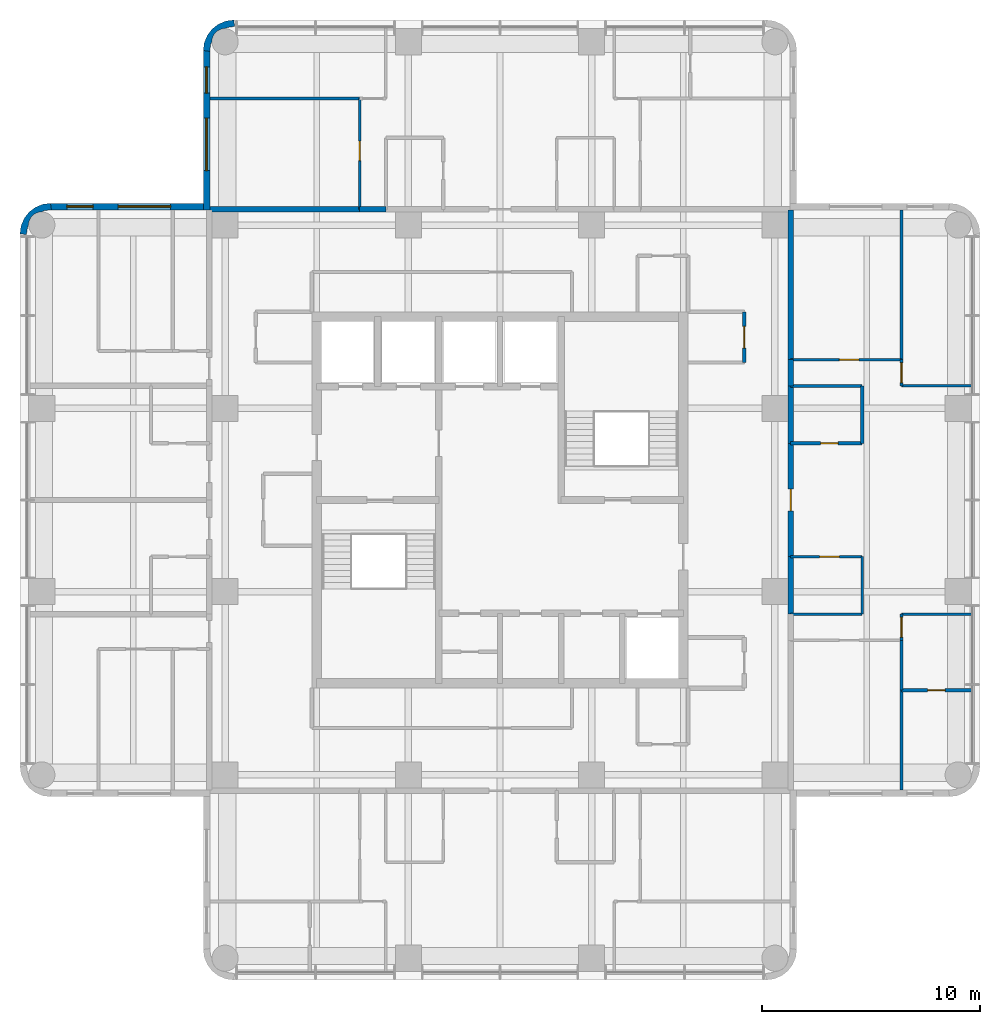
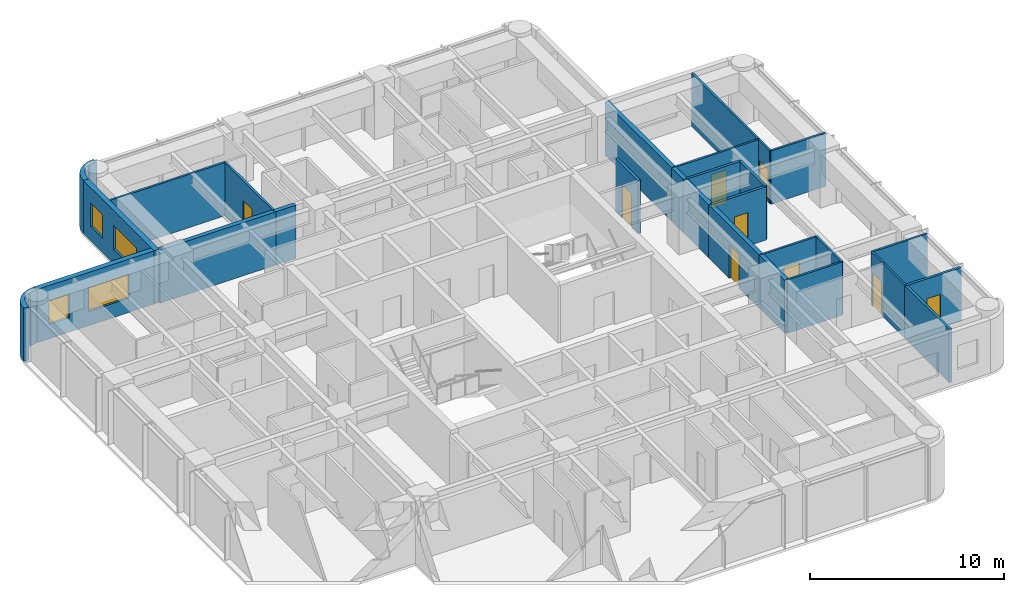
# One storey, part 7 of 10: 29 walls, 9 doors, 4 windows, 13 openings.
"""IFC4 building model written with IfcOpenShell, lengths in metres."""

import ifcopenshell
import ifcopenshell.guid

model = None  # the IFC model being written
_history = None  # IfcOwnerHistory: only IFC2X3 demands one
_inside = {}  # id of a spatial element -> (the spatial element, [elements in it])
_under = {}  # id of a project, library or spatial element -> (it, [spatial elements below it])
_declared = {}  # id of a project -> (the project, [libraries it declares])
_typed = {}  # id of a type object -> (the type object, [elements of that type])
_made_of = {}  # id of a material, layer set ... -> (it, [elements and type objects made of it])


def new_model(schema):
    """Start an empty IFC model of exactly this schema.

    Asked for "IFC4X3", IfcOpenShell would pick the latest addendum, in which some entities
    have other attributes; the version numbers below select the first issue.
    IFC2X3 requires an IfcOwnerHistory on every rooted entity: one is made here for all.
    """
    global model, _history
    if schema == "IFC4X3":
        model = ifcopenshell.file(schema_version=(4, 3, 0, 0))
    else:
        model = ifcopenshell.file(schema=schema)
    _inside.clear()
    _under.clear()
    _declared.clear()
    _typed.clear()
    _made_of.clear()
    _history = None
    if model.schema == "IFC2X3":
        org = make("IfcOrganization", Name="unknown")
        user = make(
            "IfcPersonAndOrganization",
            ThePerson=make("IfcPerson", FamilyName="unknown"),
            TheOrganization=org,
        )
        app = make(
            "IfcApplication",
            ApplicationDeveloper=org,
            Version="unknown",
            ApplicationFullName="unknown",
            ApplicationIdentifier="unknown",
        )
        _history = make(
            "IfcOwnerHistory",
            OwningUser=user,
            OwningApplication=app,
            ChangeAction="ADDED",
            CreationDate=0,
        )
    return model


def make(cls, **values):
    """One entity of the class cls with the attributes given. An attribute that is None is left unset."""
    return model.create_entity(
        cls, **{name: value for name, value in values.items() if value is not None}
    )


def rooted(cls, **values):
    """An entity with a GlobalId (a new one), such as an element, a storey or a relation."""
    return make(cls, GlobalId=ifcopenshell.guid.new(), OwnerHistory=_history, **values)


def si_unit(unit_type, name, prefix=None):
    """IfcSIUnit, for example si_unit("LENGTHUNIT", "METRE", prefix="MILLI")."""
    return make("IfcSIUnit", UnitType=unit_type, Prefix=prefix, Name=name)


def assignment(units):
    """IfcUnitAssignment: the units of a project."""
    return None if units is None else make("IfcUnitAssignment", Units=units)


def point(xyz):
    """IfcCartesianPoint."""
    return None if xyz is None else make("IfcCartesianPoint", Coordinates=xyz)


def direction(xyz):
    """IfcDirection."""
    return None if xyz is None else make("IfcDirection", DirectionRatios=xyz)


def frame(location, z_axis=None, x_axis=None):
    """IfcAxis2Placement3D, a coordinate frame: its origin and axes. An axis left out is left unset."""
    return make(
        "IfcAxis2Placement3D",
        Location=point(location),
        Axis=direction(z_axis),
        RefDirection=direction(x_axis),
    )


def frame_2d(location, x_axis=None):
    """IfcAxis2Placement2D, a coordinate frame in the plane: its origin and x axis."""
    return make(
        "IfcAxis2Placement2D", Location=point(location), RefDirection=direction(x_axis)
    )


def origin():
    """The frame at (0, 0, 0) with its axes left unset."""
    return frame((0.0, 0.0, 0.0))


def place(relative_to, where):
    """IfcLocalPlacement: puts the frame where relative to a parent placement (None: the world)."""
    return make(
        "IfcLocalPlacement", PlacementRelTo=relative_to, RelativePlacement=where
    )


def context(
    kind, dimensions, precision=None, world=None, true_north=None, identifier=None
):
    """IfcGeometricRepresentationContext, for example the 3D "Model" context."""
    return make(
        "IfcGeometricRepresentationContext",
        ContextIdentifier=identifier,
        ContextType=kind,
        CoordinateSpaceDimension=dimensions,
        Precision=precision,
        WorldCoordinateSystem=world,
        TrueNorth=true_north,
    )


def subcontext(parent, identifier, kind, view, scale=None):
    """IfcGeometricRepresentationSubContext, for example "Body" below "Model"."""
    return make(
        "IfcGeometricRepresentationSubContext",
        ContextIdentifier=identifier,
        ContextType=kind,
        ParentContext=parent,
        TargetScale=scale,
        TargetView=view,
    )


def project(units=None, contexts=None):
    """IfcProject with its units and contexts."""
    return rooted(
        "IfcProject",
        Name="project",
        RepresentationContexts=contexts,
        UnitsInContext=assignment(units),
    )


def spatial(cls, under=None, at=None, **own):
    """A site, building, storey or space (cls), placed at a placement, below another one or the project."""
    s = rooted(cls, ObjectPlacement=at, **own)
    if under is not None:
        _under.setdefault(under.id(), (under, []))[1].append(s)
    return s


def polyline(points):
    """IfcPolyline through the points."""
    return make("IfcPolyline", Points=[point(p) for p in points])


def profile(cls, at=None, kind="AREA", **sizes):
    """A parametric profile (cls). Its sizes go by their IFC names, for example OverallWidth=200.0."""
    return make(cls, ProfileType=kind, Position=at, **sizes)


def rectangle(**sizes):
    """IfcRectangleProfileDef."""
    return profile("IfcRectangleProfileDef", **sizes)


def outline(outer, holes=None, kind="AREA"):
    """IfcArbitraryClosedProfileDef: a profile drawn as a closed curve; with holes, ...WithVoids."""
    if holes is None:
        return make("IfcArbitraryClosedProfileDef", ProfileType=kind, OuterCurve=outer)
    return make(
        "IfcArbitraryProfileDefWithVoids",
        ProfileType=kind,
        OuterCurve=outer,
        InnerCurves=holes,
    )


def extrude(swept, where, along, depth):
    """IfcExtrudedAreaSolid: the profile swept, set in the frame where, extruded along a direction by depth."""
    return make(
        "IfcExtrudedAreaSolid",
        SweptArea=swept,
        Position=where,
        ExtrudedDirection=direction(along),
        Depth=depth,
    )


def shape(context_of_items, identifier, shape_type, items):
    """IfcShapeRepresentation: the items that make up one representation, for example the "Body"."""
    return make(
        "IfcShapeRepresentation",
        ContextOfItems=context_of_items,
        RepresentationIdentifier=identifier,
        RepresentationType=shape_type,
        Items=items,
    )


def material(Name=None, Category=None):
    """IfcMaterial."""
    return make("IfcMaterial", Name=Name, Category=Category)


def layer(
    of_material, thickness, ventilated=None, Name=None, Category=None, Priority=None
):
    """IfcMaterialLayer: one layer of a wall or slab, of a material (None: an air gap)."""
    return make(
        "IfcMaterialLayer",
        Material=of_material,
        LayerThickness=thickness,
        IsVentilated=ventilated,
        Name=Name,
        Category=Category,
        Priority=Priority,
    )


def layer_set(layers, Name=None):
    """IfcMaterialLayerSet."""
    return make("IfcMaterialLayerSet", MaterialLayers=layers, LayerSetName=Name)


def made_of(thing, what):
    """Note that an element or type object is made of a material, layer set ...; save() writes the relation."""
    if what is not None:
        _made_of.setdefault(what.id(), (what, []))[1].append(thing)
    return thing


def type_object(cls, material=None, **own):
    """A type object (cls), such as IfcWallType, which elements share."""
    return made_of(rooted(cls, **own), material)


def element(
    cls,
    number,
    at=None,
    inside=None,
    cuts=None,
    type_object=None,
    material=None,
    context=None,
    identifier="Body",
    shape_type=None,
    held_by="IfcProductDefinitionShape",
    body=None,
    shapes=None,
    **own,
):
    """One element of the class cls, such as IfcWall. Its Tag is "e" and its number.

    at: its placement. inside: the storey or other place that contains it. cuts: it is an
    opening in that element (IfcRelVoidsElement). A single representation is given by context,
    identifier, shape_type and body (its items); several are given by shapes. held_by: the class
    of the entity that holds the representations. save() writes the other relations.
    """
    e = rooted(cls, Tag="e%d" % number, ObjectPlacement=at, **own)
    if body is not None:
        shapes = [shape(context, identifier, shape_type, body)]
    if shapes is not None:
        e.Representation = make(held_by, Representations=shapes)
    if inside is not None:
        _inside.setdefault(inside.id(), (inside, []))[1].append(e)
    if cuts is not None:
        rooted(
            "IfcRelVoidsElement", RelatingBuildingElement=cuts, RelatedOpeningElement=e
        )
    if type_object is not None:
        _typed.setdefault(type_object.id(), (type_object, []))[1].append(e)
    return made_of(e, material)


def fill(opening, filler):
    """IfcRelFillsElement: the door or window that sits in an opening."""
    return rooted(
        "IfcRelFillsElement",
        RelatingOpeningElement=opening,
        RelatedBuildingElement=filler,
    )


def aggregate(whole, parts):
    """IfcRelAggregates: a whole, such as a stair, and the parts it consists of."""
    return rooted("IfcRelAggregates", RelatingObject=whole, RelatedObjects=parts)


def save(model, path):
    """Write the relations noted so far, then the file.

    IfcRelAggregates (storeys below a building ...), IfcRelContainedInSpatialStructure (elements
    in a storey), IfcRelDefinesByType, IfcRelAssociatesMaterial and IfcRelDeclares: one each for
    every whole, place, type object, material and project.
    """
    for whole, parts in _under.values():
        aggregate(whole, parts)
    for where, things in _inside.values():
        rooted(
            "IfcRelContainedInSpatialStructure",
            RelatedElements=things,
            RelatingStructure=where,
        )
    for kind, things in _typed.values():
        rooted("IfcRelDefinesByType", RelatedObjects=things, RelatingType=kind)
    for what, things in _made_of.values():
        rooted("IfcRelAssociatesMaterial", RelatedObjects=things, RelatingMaterial=what)
    for by, libraries in _declared.values():
        rooted("IfcRelDeclares", RelatingContext=by, RelatedDefinitions=libraries)
    model.write(path)


model = new_model("IFC4")

# Units and contexts
model_context = context("Model", 3, precision=1e-05, world=origin(), true_north=direction((0.0, 1.0)))
body_context = subcontext(model_context, "Body", "Model", "MODEL_VIEW")
ifc_project = project(units=[si_unit("LENGTHUNIT", "METRE"), si_unit("AREAUNIT", "SQUARE_METRE"), si_unit("VOLUMEUNIT", "CUBIC_METRE"), si_unit("PLANEANGLEUNIT", "RADIAN"), si_unit("MASSUNIT", "GRAM", prefix="KILO")], contexts=[model_context])

# Site, building, storey
site_placement = place(None, origin())
site = spatial("IfcSite", under=ifc_project, at=site_placement, CompositionType="ELEMENT")
building_placement = place(site_placement, origin())
building = spatial("IfcBuilding", under=site, at=building_placement, Name="Torre Alcanfor", CompositionType="ELEMENT")
storey_placement = place(building_placement, frame((0.0, 0.0, 297.300048828125)))
storey = spatial("IfcBuildingStorey", under=building, at=storey_placement, Name="L78", CompositionType="ELEMENT", Elevation=297.300048828125)

# Walls
ifc_material_1 = material(Name="Concrete block masonry, hollow blocks NMX-C-404 9 MPa", Category="masonry")
ifc_layer_1 = layer(ifc_material_1, 0.25)
ifc_layer_set_1 = layer_set([ifc_layer_1], Name="Apartment entrance wall 250 EI 60")
wall_type_1 = type_object("IfcWallType", Name="Apartment entrance wall 250 EI 60", PredefinedType="PARTITIONING", material=ifc_layer_set_1)
wall_1_placement = place(storey_placement, frame((22.970947265625, 42.72509765625, 0.0), z_axis=(0.0, 0.0, 1.0), x_axis=(1.0, 0.0, 0.0)))
element("IfcWall", 1, at=wall_1_placement, inside=storey, type_object=wall_type_1, Name="Partition L78-CORR / L78-NX-LIVING", PredefinedType="PARTITIONING", context=body_context, shape_type="SweptSolid", body=[
    extrude(rectangle(XDim=1.199951171875, YDim=0.25, at=frame_2d((0.60009765625, 0.0))), origin(), (0.0, 0.0, 1.0), 3.349853515625),
])
wall_2_placement = place(storey_placement, frame((16.10009765625, 42.72509765625, 0.0), z_axis=(0.0, 0.0, 1.0), x_axis=(1.0, 0.0, 0.0)))
element("IfcWall", 2, at=wall_2_placement, inside=storey, type_object=wall_type_1, Name="Partition L78-CORR / L78-NX-BED2", PredefinedType="PARTITIONING", context=body_context, shape_type="SweptSolid", body=[
    extrude(rectangle(XDim=6.870849609375, YDim=0.25, at=frame_2d((3.435546875, 0.0))), origin(), (0.0, 0.0, 1.0), 3.349853515625),
])

# Wall, opening, door
wall_3_placement = place(storey_placement, frame((42.72509765625, 32.0, 0.0), z_axis=(0.0, 0.0, 1.0), x_axis=(0.0, -1.0, 0.0)))
wall_3 = element("IfcWall", 3, at=wall_3_placement, inside=storey, type_object=wall_type_1, Name="Partition L78-CORR / L78-EX-ZAG", PredefinedType="PARTITIONING", context=body_context, shape_type="SweptSolid", body=[
    extrude(rectangle(XDim=5.199951171875, YDim=0.25, at=frame_2d((2.60009765625, 0.0))), origin(), (0.0, 0.0, 1.0), 3.349853515625),
])
opening_1_placement = place(wall_3_placement, frame((2.10009765625, 0.0, 0.0)))
opening_1 = element("IfcOpeningElement", 4, at=opening_1_placement, cuts=wall_3, Name="Opening D-A1", PredefinedType="OPENING", context=body_context, shape_type="SweptSolid", body=[
    extrude(rectangle(XDim=1.0, YDim=2.10009765625, at=frame_2d((0.5, 1.050048828125))), frame((0.0, 0.135009765625, 0.0), z_axis=(0.0, -1.0, 0.0), x_axis=(1.0, 0.0, 0.0)), (0.0, 0.0, 1.0), 0.27001953125),
])
ifc_material_2 = material(Name="Galvanised steel sheet ASTM A653", Category="steel")
door_type_1 = type_object("IfcDoorType", Name="Apartment entrance door FD60 1000x2100", OperationType="SINGLE_SWING_LEFT", PredefinedType="DOOR", material=ifc_material_2)
door_1_placement = place(opening_1_placement, origin())
door_1 = element("IfcDoor", 5, at=door_1_placement, inside=storey, type_object=door_type_1, Name="Apartment entrance L78-EX", OperationType="SINGLE_SWING_LEFT", OverallHeight=2.10009765625, OverallWidth=1.0, PredefinedType="DOOR", context=body_context, shape_type="SweptSolid", body=[
    extrude(rectangle(XDim=1.0, YDim=2.10009765625, at=frame_2d((0.5, 1.050048828125))), frame((0.0, 0.02490234375, 0.0), z_axis=(0.0, -1.0, 0.0), x_axis=(1.0, 0.0, 0.0)), (0.0, 0.0, 1.0), 0.050048828125),
])
fill(opening_1, door_1)

# Walls
wall_4_placement = place(storey_placement, frame((42.72509765625, 34.62890625, 0.0), z_axis=(0.0, 0.0, 1.0), x_axis=(0.0, -1.0, 0.0)))
element("IfcWall", 6, at=wall_4_placement, inside=storey, type_object=wall_type_1, Name="Partition L78-CORR / L78-EX-BATH2", PredefinedType="PARTITIONING", context=body_context, shape_type="SweptSolid", body=[
    extrude(rectangle(XDim=2.62890625, YDim=0.25, at=frame_2d((1.314453125, 0.0))), origin(), (0.0, 0.0, 1.0), 3.349853515625),
])
wall_5_placement = place(storey_placement, frame((42.72509765625, 26.800048828125, 0.0), z_axis=(0.0, 0.0, 1.0), x_axis=(0.0, -1.0, 0.0)))
element("IfcWall", 7, at=wall_5_placement, inside=storey, type_object=wall_type_1, Name="Partition L78-CORR / L78-EX-KITCHEN", PredefinedType="PARTITIONING", context=body_context, shape_type="SweptSolid", body=[
    extrude(rectangle(XDim=2.629150390625, YDim=0.25, at=frame_2d((1.314453125, 0.0))), origin(), (0.0, 0.0, 1.0), 3.349853515625),
])
wall_6_placement = place(storey_placement, frame((42.72509765625, 35.8291015625, 0.0), z_axis=(0.0, 0.0, 1.0), x_axis=(0.0, -1.0, 0.0)))
element("IfcWall", 8, at=wall_6_placement, inside=storey, type_object=wall_type_1, Name="Partition L78-CORR / L78-EX-LIVING", PredefinedType="PARTITIONING", context=body_context, shape_type="SweptSolid", body=[
    extrude(rectangle(XDim=1.2001953125, YDim=0.25, at=frame_2d((0.60009765625, 0.0))), origin(), (0.0, 0.0, 1.0), 3.349853515625),
])
wall_7_placement = place(storey_placement, frame((42.72509765625, 42.699951171875, 0.0), z_axis=(0.0, 0.0, 1.0), x_axis=(0.0, -1.0, 0.0)))
element("IfcWall", 9, at=wall_7_placement, inside=storey, type_object=wall_type_1, Name="Partition L78-CORR / L78-EX-BED2", PredefinedType="PARTITIONING", context=body_context, shape_type="SweptSolid", body=[
    extrude(rectangle(XDim=6.870849609375, YDim=0.25, at=frame_2d((3.435546875, 0.0))), origin(), (0.0, 0.0, 1.0), 3.349853515625),
])

# Wall, opening, door
ifc_material_3 = material(Name="Gypsum board on steel studs", Category="steel")
ifc_layer_2 = layer(ifc_material_3, 0.1201171875)
ifc_layer_set_2 = layer_set([ifc_layer_2], Name="Apartment partition 120")
wall_type_2 = type_object("IfcWallType", Name="Apartment partition 120", PredefinedType="PARTITIONING", material=ifc_layer_set_2)
wall_8_placement = place(storey_placement, frame((22.970947265625, 42.72509765625, 0.0), z_axis=(0.0, 0.0, 1.0), x_axis=(0.0, 1.0, 0.0)))
wall_8 = element("IfcWall", 10, at=wall_8_placement, inside=storey, type_object=wall_type_2, Name="Partition L78-NX-LIVING / L78-NX-BED2", PredefinedType="PARTITIONING", context=body_context, shape_type="SweptSolid", body=[
    extrude(rectangle(XDim=5.074951171875, YDim=0.1201171875, at=frame_2d((2.53759765625, 0.0))), origin(), (0.0, 0.0, 1.0), 3.349853515625),
])
opening_2_placement = place(wall_8_placement, frame((2.22509765625, 0.0, 0.0)))
opening_2 = element("IfcOpeningElement", 11, at=opening_2_placement, cuts=wall_8, Name="Opening D-R1", PredefinedType="OPENING", context=body_context, shape_type="SweptSolid", body=[
    extrude(rectangle(XDim=0.89990234375, YDim=2.10009765625, at=frame_2d((0.449951171875, 1.050048828125))), frame((0.0, 0.070068359375, 0.0), z_axis=(0.0, -1.0, 0.0), x_axis=(1.0, 0.0, 0.0)), (0.0, 0.0, 1.0), 0.14013671875),
])
ifc_material_4 = material(Name="Timber", Category="wood")
door_type_2 = type_object("IfcDoorType", Name="Internal door 900x2100", OperationType="SINGLE_SWING_LEFT", PredefinedType="DOOR", material=ifc_material_4)
door_2_placement = place(opening_2_placement, origin())
door_2 = element("IfcDoor", 12, at=door_2_placement, inside=storey, type_object=door_type_2, Name="Door L78-NX bed2", OperationType="SINGLE_SWING_RIGHT", OverallHeight=2.10009765625, OverallWidth=0.89990234375, PredefinedType="DOOR", context=body_context, shape_type="SweptSolid", body=[
    extrude(rectangle(XDim=0.89990234375, YDim=2.10009765625, at=frame_2d((0.449951171875, 1.050048828125))), frame((0.0, 0.02490234375, 0.0), z_axis=(0.0, -1.0, 0.0), x_axis=(1.0, 0.0, 0.0)), (0.0, 0.0, 1.0), 0.050048828125),
])
fill(opening_2, door_2)

# Wall
wall_9_placement = place(storey_placement, frame((22.970947265625, 47.800048828125, 0.0), z_axis=(0.0, 0.0, 1.0), x_axis=(-1.0, 0.0, 0.0)))
element("IfcWall", 13, at=wall_9_placement, inside=storey, type_object=wall_type_2, Name="Partition L78-NX-BED2 / L78-NX-MASTER", PredefinedType="PARTITIONING", context=body_context, shape_type="SweptSolid", body=[
    extrude(rectangle(XDim=6.870849609375, YDim=0.1201171875, at=frame_2d((3.435546875, 0.0))), origin(), (0.0, 0.0, 1.0), 3.349853515625),
])

# Wall, opening, door
wall_10_placement = place(storey_placement, frame((42.72509765625, 26.800048828125, 0.0), z_axis=(0.0, 0.0, 1.0), x_axis=(1.0, 0.0, 0.0)))
wall_10 = element("IfcWall", 14, at=wall_10_placement, inside=storey, type_object=wall_type_2, Name="Partition L78-EX-ZAG / L78-EX-KITCHEN", PredefinedType="PARTITIONING", context=body_context, shape_type="SweptSolid", body=[
    extrude(rectangle(XDim=3.27490234375, YDim=0.1201171875, at=frame_2d((1.637451171875, 0.0))), origin(), (0.0, 0.0, 1.0), 3.349853515625),
])
opening_3_placement = place(wall_10_placement, frame((1.324951171875, 0.0, 0.0)))
opening_3 = element("IfcOpeningElement", 15, at=opening_3_placement, cuts=wall_10, Name="Opening D-R1", PredefinedType="OPENING", context=body_context, shape_type="SweptSolid", body=[
    extrude(rectangle(XDim=0.89990234375, YDim=2.10009765625, at=frame_2d((0.449951171875, 1.050048828125))), frame((0.0, 0.070068359375, 0.0), z_axis=(0.0, -1.0, 0.0), x_axis=(1.0, 0.0, 0.0)), (0.0, 0.0, 1.0), 0.14013671875),
])
door_3_placement = place(opening_3_placement, frame((0.89990234375, 0.0, 0.0), z_axis=(0.0, 0.0, 1.0), x_axis=(-1.0, 0.0, 0.0)))
door_3 = element("IfcDoor", 16, at=door_3_placement, inside=storey, type_object=door_type_2, Name="Door L78-EX kitchen", OperationType="SINGLE_SWING_LEFT", OverallHeight=2.10009765625, OverallWidth=0.89990234375, PredefinedType="DOOR", context=body_context, shape_type="SweptSolid", body=[
    extrude(rectangle(XDim=0.89990234375, YDim=2.10009765625, at=frame_2d((0.449951171875, 1.050048828125))), frame((0.0, 0.025146484375, 0.0), z_axis=(0.0, -1.0, 0.0), x_axis=(1.0, 0.0, 0.0)), (0.0, 0.0, 1.0), 0.050048828125),
])
fill(opening_3, door_3)

# Walls
wall_11_placement = place(storey_placement, frame((42.72509765625, 24.1708984375, 0.0), z_axis=(0.0, 0.0, 1.0), x_axis=(1.0, 0.0, 0.0)))
element("IfcWall", 17, at=wall_11_placement, inside=storey, type_object=wall_type_2, Name="Partition L78-EX-KITCHEN / L78-EX-LIVING", PredefinedType="PARTITIONING", context=body_context, shape_type="SweptSolid", body=[
    extrude(rectangle(XDim=3.27490234375, YDim=0.1201171875, at=frame_2d((1.637451171875, 0.0))), origin(), (0.0, 0.0, 1.0), 3.349853515625),
])
wall_12_placement = place(storey_placement, frame((46.0, 24.1708984375, 0.0), z_axis=(0.0, 0.0, 1.0), x_axis=(0.0, 1.0, 0.0)))
element("IfcWall", 18, at=wall_12_placement, inside=storey, type_object=wall_type_2, Name="Partition L78-EX-KITCHEN / L78-EX-LIVING", PredefinedType="PARTITIONING", context=body_context, shape_type="SweptSolid", body=[
    extrude(rectangle(XDim=2.629150390625, YDim=0.1201171875, at=frame_2d((1.314453125, 0.0))), origin(), (0.0, 0.0, 1.0), 3.349853515625),
])

# Wall, opening, door
wall_13_placement = place(storey_placement, frame((42.72509765625, 35.8291015625, 0.0), z_axis=(0.0, 0.0, 1.0), x_axis=(1.0, 0.0, 0.0)))
wall_13 = element("IfcWall", 19, at=wall_13_placement, inside=storey, type_object=wall_type_2, Name="Partition L78-EX-LIVING / L78-EX-BED2", PredefinedType="PARTITIONING", context=body_context, shape_type="SweptSolid", body=[
    extrude(rectangle(XDim=5.074951171875, YDim=0.1201171875, at=frame_2d((2.53759765625, 0.0))), origin(), (0.0, 0.0, 1.0), 3.349853515625),
])
opening_4_placement = place(wall_13_placement, frame((2.22509765625, 0.0, 0.0)))
opening_4 = element("IfcOpeningElement", 20, at=opening_4_placement, cuts=wall_13, Name="Opening D-R1", PredefinedType="OPENING", context=body_context, shape_type="SweptSolid", body=[
    extrude(rectangle(XDim=0.89990234375, YDim=2.10009765625, at=frame_2d((0.449951171875, 1.050048828125))), frame((0.0, 0.070068359375, 0.0), z_axis=(0.0, -1.0, 0.0), x_axis=(1.0, 0.0, 0.0)), (0.0, 0.0, 1.0), 0.14013671875),
])
door_4_placement = place(opening_4_placement, origin())
door_4 = element("IfcDoor", 21, at=door_4_placement, inside=storey, type_object=door_type_2, Name="Door L78-EX bed2", OperationType="SINGLE_SWING_RIGHT", OverallHeight=2.10009765625, OverallWidth=0.89990234375, PredefinedType="DOOR", context=body_context, shape_type="SweptSolid", body=[
    extrude(rectangle(XDim=0.89990234375, YDim=2.10009765625, at=frame_2d((0.449951171875, 1.050048828125))), frame((0.0, 0.02490234375, 0.0), z_axis=(0.0, -1.0, 0.0), x_axis=(1.0, 0.0, 0.0)), (0.0, 0.0, 1.0), 0.050048828125),
])
fill(opening_4, door_4)

wall_14_placement = place(storey_placement, frame((47.800048828125, 35.8291015625, 0.0), z_axis=(0.0, 0.0, 1.0), x_axis=(0.0, -1.0, 0.0)))
wall_14 = element("IfcWall", 22, at=wall_14_placement, inside=storey, type_object=wall_type_2, Name="Partition L78-EX-LIVING / L78-EX-MASTER", PredefinedType="PARTITIONING", context=body_context, shape_type="SweptSolid", body=[
    extrude(rectangle(XDim=1.2001953125, YDim=0.1201171875, at=frame_2d((0.60009765625, 0.0))), origin(), (0.0, 0.0, 1.0), 3.349853515625),
])
opening_5_placement = place(wall_14_placement, frame((0.14892578125, 0.0, 0.0)))
opening_5 = element("IfcOpeningElement", 23, at=opening_5_placement, cuts=wall_14, Name="Opening D-R1", PredefinedType="OPENING", context=body_context, shape_type="SweptSolid", body=[
    extrude(rectangle(XDim=0.89990234375, YDim=2.10009765625, at=frame_2d((0.449951171875, 1.050048828125))), frame((0.0, 0.070068359375, 0.0), z_axis=(0.0, -1.0, 0.0), x_axis=(1.0, 0.0, 0.0)), (0.0, 0.0, 1.0), 0.14013671875),
])
door_5_placement = place(opening_5_placement, origin())
door_5 = element("IfcDoor", 24, at=door_5_placement, inside=storey, type_object=door_type_2, Name="Door L78-EX master", OperationType="SINGLE_SWING_RIGHT", OverallHeight=2.10009765625, OverallWidth=0.89990234375, PredefinedType="DOOR", context=body_context, shape_type="SweptSolid", body=[
    extrude(rectangle(XDim=0.89990234375, YDim=2.10009765625, at=frame_2d((0.449951171875, 1.050048828125))), frame((0.0, 0.02490234375, 0.0), z_axis=(0.0, -1.0, 0.0), x_axis=(1.0, 0.0, 0.0)), (0.0, 0.0, 1.0), 0.050048828125),
])
fill(opening_5, door_5)

# Walls
for number, where, z_axis, x_axis, name in (
    (25, (47.800048828125, 34.62890625, 0.0), (0.0, 0.0, 1.0), (1.0, 0.0, 0.0), "Partition L78-EX-LIVING / L78-EX-MASTER"),
    (26, (51.050048828125, 24.1708984375, 0.0), (0.0, 0.0, 1.0), (-1.0, 0.0, 0.0), "Partition L78-EX-LIVING / L78-EX-BED1"),
):
    element("IfcWall", number, at=place(storey_placement, frame(where, z_axis=z_axis, x_axis=x_axis)), inside=storey, type_object=wall_type_2, Name=name, PredefinedType="PARTITIONING", context=body_context, shape_type="SweptSolid", body=[
        extrude(rectangle(XDim=3.25, YDim=0.1201171875, at=frame_2d((1.625, 0.0))), origin(), (0.0, 0.0, 1.0), 3.349853515625),
    ])

# Wall, opening, door
wall_15_placement = place(storey_placement, frame((47.800048828125, 24.1708984375, 0.0), z_axis=(0.0, 0.0, 1.0), x_axis=(0.0, -1.0, 0.0)))
wall_15 = element("IfcWall", 27, at=wall_15_placement, inside=storey, type_object=wall_type_2, Name="Partition L78-EX-LIVING / L78-EX-BED1", PredefinedType="PARTITIONING", context=body_context, shape_type="SweptSolid", body=[
    extrude(rectangle(XDim=1.199951171875, YDim=0.1201171875, at=frame_2d((0.60009765625, 0.0))), origin(), (0.0, 0.0, 1.0), 3.349853515625),
])
opening_6_placement = place(wall_15_placement, frame((0.15087890625, 0.0, 0.0)))
opening_6 = element("IfcOpeningElement", 28, at=opening_6_placement, cuts=wall_15, Name="Opening D-R1", PredefinedType="OPENING", context=body_context, shape_type="SweptSolid", body=[
    extrude(rectangle(XDim=0.89990234375, YDim=2.10009765625, at=frame_2d((0.449951171875, 1.050048828125))), frame((0.0, 0.070068359375, 0.0), z_axis=(0.0, -1.0, 0.0), x_axis=(1.0, 0.0, 0.0)), (0.0, 0.0, 1.0), 0.14013671875),
])
door_6_placement = place(opening_6_placement, origin())
door_6 = element("IfcDoor", 29, at=door_6_placement, inside=storey, type_object=door_type_2, Name="Door L78-EX bed1", OperationType="SINGLE_SWING_LEFT", OverallHeight=2.10009765625, OverallWidth=0.89990234375, PredefinedType="DOOR", context=body_context, shape_type="SweptSolid", body=[
    extrude(rectangle(XDim=0.89990234375, YDim=2.10009765625, at=frame_2d((0.449951171875, 1.050048828125))), frame((0.0, 0.02490234375, 0.0), z_axis=(0.0, -1.0, 0.0), x_axis=(1.0, 0.0, 0.0)), (0.0, 0.0, 1.0), 0.050048828125),
])
fill(opening_6, door_6)

# Walls
wall_16_placement = place(storey_placement, frame((47.800048828125, 35.8291015625, 0.0), z_axis=(0.0, 0.0, 1.0), x_axis=(0.0, 1.0, 0.0)))
element("IfcWall", 30, at=wall_16_placement, inside=storey, type_object=wall_type_2, Name="Partition L78-EX-BED2 / L78-EX-MASTER", PredefinedType="PARTITIONING", context=body_context, shape_type="SweptSolid", body=[
    extrude(rectangle(XDim=6.870849609375, YDim=0.1201171875, at=frame_2d((3.435546875, 0.0))), origin(), (0.0, 0.0, 1.0), 3.349853515625),
])
wall_17_placement = place(storey_placement, frame((47.800048828125, 20.68603515625, 0.0), z_axis=(0.0, 0.0, 1.0), x_axis=(0.0, 1.0, 0.0)))
element("IfcWall", 31, at=wall_17_placement, inside=storey, type_object=wall_type_2, Name="Partition L78-EX-BED3 / L78-EX-BED1", PredefinedType="PARTITIONING", context=body_context, shape_type="SweptSolid", body=[
    extrude(rectangle(XDim=2.284912109375, YDim=0.1201171875, at=frame_2d((1.142578125, 0.0))), origin(), (0.0, 0.0, 1.0), 3.349853515625),
])

# Wall, openings, windows
ifc_material_5 = material(Name="Limestone cladding", Category="masonry")
ifc_layer_3 = layer(ifc_material_5, 0.0400390625, Name="Facing")
ifc_material_6 = material(Name="Ventilated air cavity")
ifc_layer_4 = layer(ifc_material_6, 0.02001953125, ventilated=True, Name="Ventilated joint")
ifc_material_7 = material(Name="Mineral wool insulation", Category="insulation")
ifc_layer_5 = layer(ifc_material_7, 0.10009765625, Name="Insulation")
ifc_material_8 = material(Name="Concrete f'c 35 MPa", Category="concrete")
ifc_layer_6 = layer(ifc_material_8, 0.139892578125, Name="Backing")
ifc_layer_set_3 = layer_set([ifc_layer_3, ifc_layer_4, ifc_layer_5, ifc_layer_6], Name="External wall stone-clad 300")
wall_type_3 = type_object("IfcWallType", Name="External wall stone-clad 300", PredefinedType="SOLIDWALL", material=ifc_layer_set_3)
wall_18_placement = place(storey_placement, frame((15.800048828125, 42.85009765625, 0.0), z_axis=(0.0, 0.0, 1.0), x_axis=(-1.0, 0.0, 0.0)))
wall_18 = element("IfcWall", 32, at=wall_18_placement, inside=storey, type_object=wall_type_3, Name="External wall L78 1", PredefinedType="SOLIDWALL", context=body_context, shape_type="SweptSolid", body=[
    extrude(rectangle(XDim=7.0, YDim=0.300048828125, at=frame_2d((3.5, 0.0))), origin(), (0.0, 0.0, 1.0), 3.349853515625),
])
opening_7_placement = place(wall_18_placement, frame((1.5, 0.0, 0.89990234375)))
opening_7 = element("IfcOpeningElement", 33, at=opening_7_placement, cuts=wall_18, Name="Opening W1", PredefinedType="OPENING", context=body_context, shape_type="SweptSolid", body=[
    extrude(rectangle(XDim=2.39990234375, YDim=1.5, at=frame_2d((1.199951171875, 0.75))), frame((0.0, 0.159912109375, 0.0), z_axis=(0.0, -1.0, 0.0), x_axis=(1.0, 0.0, 0.0)), (0.0, 0.0, 1.0), 0.320068359375),
])
opening_8_placement = place(wall_18_placement, frame((5.050048828125, 0.0, 0.89990234375)))
opening_8 = element("IfcOpeningElement", 34, at=opening_8_placement, cuts=wall_18, Name="Opening W4", PredefinedType="OPENING", context=body_context, shape_type="SweptSolid", body=[
    extrude(rectangle(XDim=1.199951171875, YDim=1.5, at=frame_2d((0.60009765625, 0.75))), frame((0.0, 0.159912109375, 0.0), z_axis=(0.0, -1.0, 0.0), x_axis=(1.0, 0.0, 0.0)), (0.0, 0.0, 1.0), 0.320068359375),
])
ifc_material_9 = material(Name="Aluminium frame with clear double glazing", Category="aluminium")
window_type_1 = type_object("IfcWindowType", Name="Window bedroom 1200x1500", PartitioningType="SINGLE_PANEL", PredefinedType="WINDOW", material=ifc_material_9)
window_1_placement = place(opening_8_placement, origin())
window_1 = element("IfcWindow", 35, at=window_1_placement, inside=storey, type_object=window_type_1, Name="Window W4 L78-W2", OverallHeight=1.5, OverallWidth=1.199951171875, PartitioningType="SINGLE_PANEL", PredefinedType="WINDOW", context=body_context, shape_type="SweptSolid", body=[
    extrude(rectangle(XDim=1.199951171875, YDim=1.5, at=frame_2d((0.60009765625, 0.75))), frame((0.0, 0.030029296875, 0.0), z_axis=(0.0, -1.0, 0.0), x_axis=(1.0, 0.0, 0.0)), (0.0, 0.0, 1.0), 0.06005859375),
])
fill(opening_8, window_1)
ifc_material_10 = material(Name="Aluminium frame with clear double glazing", Category="aluminium")
window_type_2 = type_object("IfcWindowType", Name="Window bedroom 2400x1500", PartitioningType="SINGLE_PANEL", PredefinedType="WINDOW", material=ifc_material_10)
window_2_placement = place(opening_7_placement, origin())
window_2 = element("IfcWindow", 36, at=window_2_placement, inside=storey, type_object=window_type_2, Name="Window W1 L78-W2", OverallHeight=1.5, OverallWidth=2.39990234375, PartitioningType="SINGLE_PANEL", PredefinedType="WINDOW", context=body_context, shape_type="SweptSolid", body=[
    extrude(rectangle(XDim=2.39990234375, YDim=1.5, at=frame_2d((1.199951171875, 0.75))), frame((0.0, 0.030029296875, 0.0), z_axis=(0.0, -1.0, 0.0), x_axis=(1.0, 0.0, 0.0)), (0.0, 0.0, 1.0), 0.06005859375),
])
fill(opening_7, window_2)

wall_19_placement = place(storey_placement, frame((15.949951171875, 50.0, 0.0), z_axis=(0.0, 0.0, 1.0), x_axis=(0.0, -1.0, 0.0)))
wall_19 = element("IfcWall", 37, at=wall_19_placement, inside=storey, type_object=wall_type_3, Name="External wall L78 12", PredefinedType="SOLIDWALL", context=body_context, shape_type="SweptSolid", body=[
    extrude(rectangle(XDim=7.300048828125, YDim=0.300048828125, at=frame_2d((3.64990234375, 0.0))), origin(), (0.0, 0.0, 1.0), 3.349853515625),
])
opening_9_placement = place(wall_19_placement, frame((3.10009765625, 0.0, 0.89990234375)))
opening_9 = element("IfcOpeningElement", 38, at=opening_9_placement, cuts=wall_19, Name="Opening W1", PredefinedType="OPENING", context=body_context, shape_type="SweptSolid", body=[
    extrude(rectangle(XDim=2.39990234375, YDim=1.5, at=frame_2d((1.199951171875, 0.75))), frame((0.0, 0.159912109375, 0.0), z_axis=(0.0, -1.0, 0.0), x_axis=(1.0, 0.0, 0.0)), (0.0, 0.0, 1.0), 0.320068359375),
])
opening_10_placement = place(wall_19_placement, frame((0.75, 0.0, 0.89990234375)))
opening_10 = element("IfcOpeningElement", 39, at=opening_10_placement, cuts=wall_19, Name="Opening W4", PredefinedType="OPENING", context=body_context, shape_type="SweptSolid", body=[
    extrude(rectangle(XDim=1.199951171875, YDim=1.5, at=frame_2d((0.60009765625, 0.75))), frame((0.0, 0.159912109375, 0.0), z_axis=(0.0, -1.0, 0.0), x_axis=(1.0, 0.0, 0.0)), (0.0, 0.0, 1.0), 0.320068359375),
])
window_3_placement = place(opening_10_placement, origin())
window_3 = element("IfcWindow", 40, at=window_3_placement, inside=storey, type_object=window_type_1, Name="Window W4 L78-N1", OverallHeight=1.5, OverallWidth=1.199951171875, PartitioningType="SINGLE_PANEL", PredefinedType="WINDOW", context=body_context, shape_type="SweptSolid", body=[
    extrude(rectangle(XDim=1.199951171875, YDim=1.5, at=frame_2d((0.60009765625, 0.75))), frame((0.0, 0.030029296875, 0.0), z_axis=(0.0, -1.0, 0.0), x_axis=(1.0, 0.0, 0.0)), (0.0, 0.0, 1.0), 0.06005859375),
])
fill(opening_10, window_3)
window_4_placement = place(opening_9_placement, origin())
window_4 = element("IfcWindow", 41, at=window_4_placement, inside=storey, type_object=window_type_2, Name="Window W1 L78-N1", OverallHeight=1.5, OverallWidth=2.39990234375, PartitioningType="SINGLE_PANEL", PredefinedType="WINDOW", context=body_context, shape_type="SweptSolid", body=[
    extrude(rectangle(XDim=2.39990234375, YDim=1.5, at=frame_2d((1.199951171875, 0.75))), frame((0.0, 0.030029296875, 0.0), z_axis=(0.0, -1.0, 0.0), x_axis=(1.0, 0.0, 0.0)), (0.0, 0.0, 1.0), 0.06005859375),
])
fill(opening_9, window_4)

# Wall, opening, door
ifc_material_11 = material(Name="Concrete block masonry, hollow blocks NMX-C-404 9 MPa", Category="masonry")
ifc_layer_7 = layer(ifc_material_11, 0.14990234375)
ifc_layer_set_4 = layer_set([ifc_layer_7], Name="Residents' room partition 150")
wall_type_4 = type_object("IfcWallType", Name="Residents' room partition 150", PredefinedType="PARTITIONING", material=ifc_layer_set_4)
wall_20_placement = place(storey_placement, frame((40.60009765625, 35.699951171875, 0.0), z_axis=(0.0, 0.0, 1.0), x_axis=(0.0, 1.0, 0.0)))
wall_20 = element("IfcWall", 42, at=wall_20_placement, inside=storey, type_object=wall_type_4, Name="Partition L78-CORR / L78-G04", PredefinedType="PARTITIONING", context=body_context, shape_type="SweptSolid", body=[
    extrude(rectangle(XDim=2.324951171875, YDim=0.14990234375, at=frame_2d((1.16259765625, 0.0))), origin(), (0.0, 0.0, 1.0), 3.349853515625),
])
opening_11_placement = place(wall_20_placement, frame((0.66259765625, 0.0, 0.0)))
opening_11 = element("IfcOpeningElement", 43, at=opening_11_placement, cuts=wall_20, Name="Opening D-M1", PredefinedType="OPENING", context=body_context, shape_type="SweptSolid", body=[
    extrude(rectangle(XDim=1.0, YDim=2.10009765625, at=frame_2d((0.5, 1.050048828125))), frame((0.0, 0.0849609375, 0.0), z_axis=(0.0, -1.0, 0.0), x_axis=(1.0, 0.0, 0.0)), (0.0, 0.0, 1.0), 0.169921875),
])
ifc_material_12 = material(Name="Timber", Category="wood")
door_type_3 = type_object("IfcDoorType", Name="Residents' room door 1000x2100", OperationType="SINGLE_SWING_LEFT", PredefinedType="DOOR", material=ifc_material_12)
door_7_placement = place(opening_11_placement, origin())
door_7 = element("IfcDoor", 44, at=door_7_placement, inside=storey, type_object=door_type_3, Name="Door L78-G04 parcel room", OperationType="SINGLE_SWING_LEFT", OverallHeight=2.10009765625, OverallWidth=1.0, PredefinedType="DOOR", context=body_context, shape_type="SweptSolid", body=[
    extrude(rectangle(XDim=1.0, YDim=2.10009765625, at=frame_2d((0.5, 1.050048828125))), frame((0.0, 0.02490234375, 0.0), z_axis=(0.0, -1.0, 0.0), x_axis=(1.0, 0.0, 0.0)), (0.0, 0.0, 1.0), 0.050048828125),
])
fill(opening_11, door_7)

# Walls
ifc_layer_8 = layer(ifc_material_5, 0.0400390625, Name="Facing")
ifc_layer_9 = layer(ifc_material_6, 0.02001953125, ventilated=True, Name="Ventilated joint")
ifc_layer_10 = layer(ifc_material_7, 0.10009765625, Name="Insulation")
ifc_layer_11 = layer(ifc_material_8, 0.139892578125, Name="Backing")
ifc_layer_set_5 = layer_set([ifc_layer_8, ifc_layer_9, ifc_layer_10, ifc_layer_11], Name="Rounded corner pier stone-clad 300")
wall_type_5 = type_object("IfcWallType", Name="Rounded corner pier stone-clad 300", PredefinedType="SOLIDWALL", material=ifc_layer_set_5)
wall_21_placement = place(storey_placement, frame((8.761581746, 42.575898117, 0.0), z_axis=(0.0, 0.0, 1.0), x_axis=(-0.707106781187, 0.707106781187, 0.0)))
element("IfcWall", 45, at=wall_21_placement, inside=storey, type_object=wall_type_5, Name="Corner pier L78 13", PredefinedType="SOLIDWALL", context=body_context, shape_type="SweptSolid", body=[
    extrude(outline(polyline([(0.23297927971509194, 0.11416555226925892), (0.04670774238592084, -0.12872977027211618), (0.032551796082869844, -0.1428857165751672), (0.27268498276023495, -0.32708565200633083), (0.49520955330453675, -0.03723401977678656), (0.6350426814200405, 0.3004370895984301), (0.6826895250742122, 0.6629674217497361), (0.6350426814200405, 1.025152486918041), (0.49520955330453664, 1.3628235962932576), (0.27285761625173566, 1.6528478620143026), (0.032724429574370495, 1.468647926583139), (0.0467077423859209, 1.4546646137715884), (0.23315191320659262, 1.2115966577387127), (0.29219256729980525, 1.0690013937591991), (0.3577932940700416, 1.0034006669889626), (0.44946167805687187, 0.7826024313596671), (0.44946167805687187, 0.5433324121398051), (0.3579659275615422, 0.322361543019009), (0.29219256729980525, 0.256588182757272), (0.23297927971509194, 0.11416555226925892)])), origin(), (0.0, 0.0, 1.0), 3.349853515625),
])
wall_22_placement = place(storey_placement, frame((17.161581746, 50.975898117, 0.0), z_axis=(0.0, 0.0, 1.0), x_axis=(-0.707106781187, 0.707106781187, 0.0)))
element("IfcWall", 46, at=wall_22_placement, inside=storey, type_object=wall_type_5, Name="Corner pier L78 20", PredefinedType="SOLIDWALL", context=body_context, shape_type="SweptSolid", body=[
    extrude(outline(polyline([(0.04670774238592209, -0.12893693046191768), (0.03272442957437171, -0.14292024327346806), (0.2726849827602362, -0.3269475452131311), (0.495209553304538, -0.03709591298358683), (0.6350426814200417, 0.3005751963916298), (0.6826895250742134, 0.6627602615599347), (0.6350426814200417, 1.0252905937112406), (0.495209553304538, 1.3629617030864574), (0.2726849827602362, 1.6528133353160017), (0.032551796082871065, 1.468613399884838), (0.04653510889442147, 1.4546300870732876), (0.23315191320659384, 1.2117347645319125), (0.2921925672998066, 1.069139500552399), (0.35796592756154355, 1.003366140290662), (0.44946167805687315, 0.7823952711698656), (0.44928904456537255, 0.5432978854415043), (0.3579659275615435, 0.32249964981220874), (0.2921925672998065, 0.2567262895504718), (0.2331519132065938, 0.11413102557095803), (0.04670774238592209, -0.12893693046191768)])), origin(), (0.0, 0.0, 1.0), 3.349853515625),
])

# Wall, opening, door
ifc_material_13 = material(Name="Cement board on steel studs", Category="steel")
ifc_layer_12 = layer(ifc_material_13, 0.14990234375)
ifc_layer_set_6 = layer_set([ifc_layer_12], Name="Wet area partition 150")
wall_type_6 = type_object("IfcWallType", Name="Wet area partition 150", PredefinedType="PARTITIONING", material=ifc_layer_set_6)
wall_23_placement = place(storey_placement, frame((46.0, 32.0, 0.0), z_axis=(0.0, 0.0, 1.0), x_axis=(-1.0, 0.0, 0.0)))
wall_23 = element("IfcWall", 47, at=wall_23_placement, inside=storey, type_object=wall_type_6, Name="Partition L78-EX-ZAG / L78-EX-BATH2", PredefinedType="PARTITIONING", context=body_context, shape_type="SweptSolid", body=[
    extrude(rectangle(XDim=3.27490234375, YDim=0.14990234375, at=frame_2d((1.637451171875, 0.0))), origin(), (0.0, 0.0, 1.0), 3.349853515625),
])
opening_12_placement = place(wall_23_placement, frame((1.10009765625, 0.0, 0.0)))
opening_12 = element("IfcOpeningElement", 48, at=opening_12_placement, cuts=wall_23, Name="Opening D-R2", PredefinedType="OPENING", context=body_context, shape_type="SweptSolid", body=[
    extrude(rectangle(XDim=0.800048828125, YDim=2.10009765625, at=frame_2d((0.39990234375, 1.050048828125))), frame((0.0, 0.0849609375, 0.0), z_axis=(0.0, -1.0, 0.0), x_axis=(1.0, 0.0, 0.0)), (0.0, 0.0, 1.0), 0.169921875),
])
ifc_material_14 = material(Name="Timber", Category="wood")
door_type_4 = type_object("IfcDoorType", Name="Bathroom door 800x2100", OperationType="SINGLE_SWING_LEFT", PredefinedType="DOOR", material=ifc_material_14)
door_8_placement = place(opening_12_placement, frame((0.800048828125, 0.0, 0.0), z_axis=(0.0, 0.0, 1.0), x_axis=(-1.0, 0.0, 0.0)))
door_8 = element("IfcDoor", 49, at=door_8_placement, inside=storey, type_object=door_type_4, Name="Door L78-EX bath2", OperationType="SINGLE_SWING_RIGHT", OverallHeight=2.10009765625, OverallWidth=0.800048828125, PredefinedType="DOOR", context=body_context, shape_type="SweptSolid", body=[
    extrude(rectangle(XDim=0.800048828125, YDim=2.10009765625, at=frame_2d((0.400146484375, 1.050048828125))), frame((0.0, 0.025146484375, 0.0), z_axis=(0.0, -1.0, 0.0), x_axis=(1.0, 0.0, 0.0)), (0.0, 0.0, 1.0), 0.050048828125),
])
fill(opening_12, door_8)

# Walls
wall_24_placement = place(storey_placement, frame((46.0, 32.0, 0.0), z_axis=(0.0, 0.0, 1.0), x_axis=(0.0, 1.0, 0.0)))
element("IfcWall", 50, at=wall_24_placement, inside=storey, type_object=wall_type_6, Name="Partition L78-EX-BATH2 / L78-EX-LIVING", PredefinedType="PARTITIONING", context=body_context, shape_type="SweptSolid", body=[
    extrude(rectangle(XDim=2.62890625, YDim=0.14990234375, at=frame_2d((1.314453125, 0.0))), origin(), (0.0, 0.0, 1.0), 3.349853515625),
])
wall_25_placement = place(storey_placement, frame((46.0, 34.62890625, 0.0), z_axis=(0.0, 0.0, 1.0), x_axis=(-1.0, 0.0, 0.0)))
element("IfcWall", 51, at=wall_25_placement, inside=storey, type_object=wall_type_6, Name="Partition L78-EX-BATH2 / L78-EX-LIVING", PredefinedType="PARTITIONING", context=body_context, shape_type="SweptSolid", body=[
    extrude(rectangle(XDim=3.27490234375, YDim=0.14990234375, at=frame_2d((1.637451171875, 0.0))), origin(), (0.0, 0.0, 1.0), 3.349853515625),
])
wall_26_placement = place(storey_placement, frame((47.800048828125, 16.10009765625, 0.0), z_axis=(0.0, 0.0, 1.0), x_axis=(0.0, 1.0, 0.0)))
element("IfcWall", 52, at=wall_26_placement, inside=storey, type_object=wall_type_6, Name="Partition L78-EX-BED3 / L78-EX-BATH1", PredefinedType="PARTITIONING", context=body_context, shape_type="SweptSolid", body=[
    extrude(rectangle(XDim=4.5859375, YDim=0.14990234375, at=frame_2d((2.29296875, 0.0))), origin(), (0.0, 0.0, 1.0), 3.349853515625),
])

# Wall, opening, door
wall_27_placement = place(storey_placement, frame((51.050048828125, 20.68603515625, 0.0), z_axis=(0.0, 0.0, 1.0), x_axis=(-1.0, 0.0, 0.0)))
wall_27 = element("IfcWall", 53, at=wall_27_placement, inside=storey, type_object=wall_type_6, Name="Partition L78-EX-BATH1 / L78-EX-BED1", PredefinedType="PARTITIONING", context=body_context, shape_type="SweptSolid", body=[
    extrude(rectangle(XDim=3.25, YDim=0.14990234375, at=frame_2d((1.625, 0.0))), origin(), (0.0, 0.0, 1.0), 3.349853515625),
])
opening_13_placement = place(wall_27_placement, frame((1.25, 0.0, 0.0)))
opening_13 = element("IfcOpeningElement", 54, at=opening_13_placement, cuts=wall_27, Name="Opening D-R2", PredefinedType="OPENING", context=body_context, shape_type="SweptSolid", body=[
    extrude(rectangle(XDim=0.800048828125, YDim=2.10009765625, at=frame_2d((0.39990234375, 1.050048828125))), frame((0.0, 0.0849609375, 0.0), z_axis=(0.0, -1.0, 0.0), x_axis=(1.0, 0.0, 0.0)), (0.0, 0.0, 1.0), 0.169921875),
])
door_9_placement = place(opening_13_placement, frame((0.800048828125, 0.0, 0.0), z_axis=(0.0, 0.0, 1.0), x_axis=(-1.0, 0.0, 0.0)))
door_9 = element("IfcDoor", 55, at=door_9_placement, inside=storey, type_object=door_type_4, Name="Door L78-EX bath1", OperationType="SINGLE_SWING_LEFT", OverallHeight=2.10009765625, OverallWidth=0.800048828125, PredefinedType="DOOR", context=body_context, shape_type="SweptSolid", body=[
    extrude(rectangle(XDim=0.800048828125, YDim=2.10009765625, at=frame_2d((0.400146484375, 1.050048828125))), frame((0.0, 0.025146484375, 0.0), z_axis=(0.0, -1.0, 0.0), x_axis=(1.0, 0.0, 0.0)), (0.0, 0.0, 1.0), 0.050048828125),
])
fill(opening_13, door_9)

save(model, "model.ifc")
